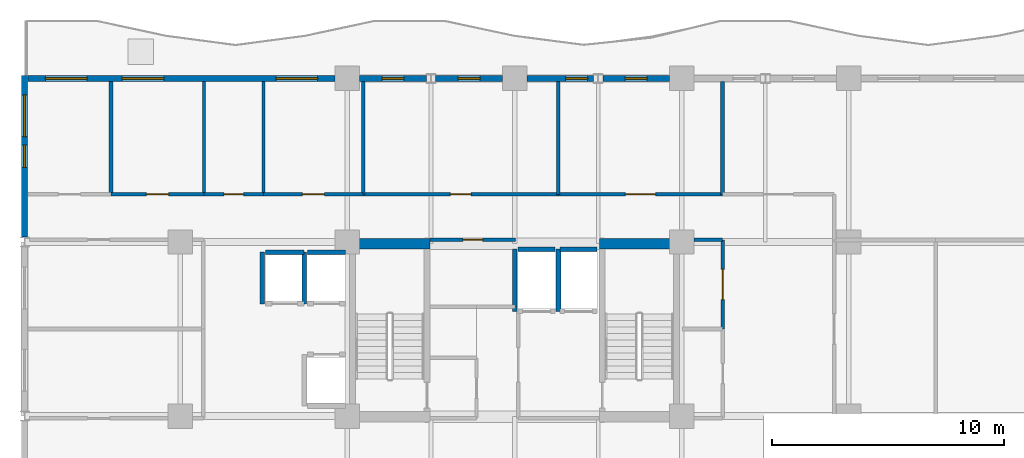
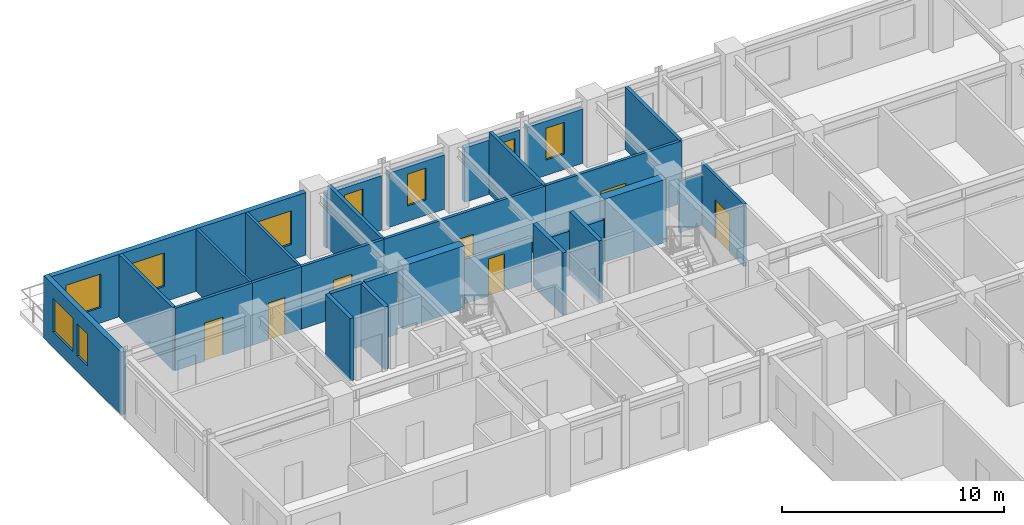
# One storey, part 8 of 12: 30 walls, 9 windows, 7 doors, 16 openings.
"""IFC4 building model written with IfcOpenShell, lengths in metres."""

from ifc_helpers import new_model, si_unit, direction, frame, frame_2d, origin, place, context, subcontext, project, spatial, rectangle, extrude, material, layer, layer_set, type_object, element, fill, save


model = new_model("IFC4")

# Units and contexts
model_context = context("Model", 3, precision=1e-05, world=origin(), true_north=direction((0.0, 1.0)))
body_context = subcontext(model_context, "Body", "Model", "MODEL_VIEW")
ifc_project = project(units=[si_unit("LENGTHUNIT", "METRE"), si_unit("AREAUNIT", "SQUARE_METRE"), si_unit("VOLUMEUNIT", "CUBIC_METRE"), si_unit("PLANEANGLEUNIT", "RADIAN"), si_unit("MASSUNIT", "GRAM", prefix="KILO")], contexts=[model_context])

# Site, building, storey
site_placement = place(None, origin())
site = spatial("IfcSite", under=ifc_project, at=site_placement, CompositionType="ELEMENT")
building_placement = place(site_placement, origin())
building = spatial("IfcBuilding", under=site, at=building_placement, Name="Kaliganga Portal Commons", CompositionType="ELEMENT")
storey_placement = place(building_placement, frame((0.0, 0.0, 147.60009765625)))
storey = spatial("IfcBuildingStorey", under=building, at=storey_placement, Name="L37", CompositionType="ELEMENT", Elevation=147.60009765625)

# Walls
ifc_material_1 = material(Name="Concrete C60/75", Category="concrete")
ifc_layer_1 = layer(ifc_material_1, 0.449951171875)
ifc_layer_set_1 = layer_set([ifc_layer_1], Name="Concrete C60/75")
wall_type_1 = type_object("IfcWallType", Name="WL-CORE-450", PredefinedType="SHEAR", material=ifc_layer_set_1)
for number, where, z_axis, x_axis, name in (
    (1, (14.75, 36.074951171875, 0.0), (0.0, 0.0, 1.0), (1.0, 0.0, 0.0), "Core A N-West Shear Wall L37"),
    (2, (25.25, 36.074951171875, 0.0), (0.0, 0.0, 1.0), (1.0, 0.0, 0.0), "Core A N-East Shear Wall L37"),
):
    element("IfcWall", number, at=place(storey_placement, frame(where, z_axis=z_axis, x_axis=x_axis)), inside=storey, type_object=wall_type_1, Name=name, PredefinedType="SHEAR", context=body_context, shape_type="SweptSolid", body=[
        extrude(rectangle(XDim=3.199951171875, YDim=0.449951171875, at=frame_2d((1.60009765625, 0.0))), origin(), (0.0, 0.0, 1.0), 3.4599609375),
    ])

# Wall, opening, window
ifc_material_2 = material(Name="Insulated Aluminium-Clad Spandrel Assembly", Category="aluminium")
ifc_layer_2 = layer(ifc_material_2, 0.260009765625)
ifc_layer_set_2 = layer_set([ifc_layer_2], Name="Insulated Aluminium-Clad Spandrel Assembly")
wall_type_2 = type_object("IfcWallType", Name="WL-EXT-SPAND-260", PredefinedType="STANDARD", material=ifc_layer_set_2)
wall_1_placement = place(storey_placement, frame((25.403076171875, 43.199951171875, 0.0), z_axis=(0.0, 0.0, 1.0), x_axis=(1.0, 0.0, 0.0)))
wall_1 = element("IfcWall", 3, at=wall_1_placement, inside=storey, type_object=wall_type_2, Name="Exterior Envelope Wall L37 P1-E02-S5", PredefinedType="STANDARD", context=body_context, shape_type="SweptSolid", body=[
    extrude(rectangle(XDim=2.870849609375, YDim=0.260009765625, at=frame_2d((1.435546875, 0.0))), origin(), (0.0, 0.0, 1.0), 2.989990234375),
])
opening_1_placement = place(wall_1_placement, frame((0.96044921875, 0.0, 0.85009765625)))
opening_1 = element("IfcOpeningElement", 4, at=opening_1_placement, cuts=wall_1, Name="Opening W-04", PredefinedType="OPENING", context=body_context, shape_type="SweptSolid", body=[
    extrude(rectangle(XDim=0.949951171875, YDim=1.75, at=frame_2d((0.47509765625, 0.875))), frame((0.0, 0.14013671875, 0.0), z_axis=(0.0, -1.0, 0.0), x_axis=(1.0, 0.0, 0.0)), (0.0, 0.0, 1.0), 0.280029296875),
])
ifc_material_3 = material(Name="Thermally Broken Aluminium and Low-E Double Glazing", Category="aluminium")
window_type_1 = type_object("IfcWindowType", Name="WIN-NARROW-950", PartitioningType="SINGLE_PANEL", PredefinedType="WINDOW", material=ifc_material_3)
window_1_placement = place(opening_1_placement, origin())
window_1 = element("IfcWindow", 5, at=window_1_placement, inside=storey, type_object=window_type_1, Name="Facade Window L37-P1E02S5-00", OverallHeight=1.75, OverallWidth=0.949951171875, PartitioningType="SINGLE_PANEL", PredefinedType="WINDOW", context=body_context, shape_type="SweptSolid", body=[
    extrude(rectangle(XDim=0.949951171875, YDim=1.75, at=frame_2d((0.47509765625, 0.875))), frame((0.0, 0.030029296875, 0.0), z_axis=(0.0, -1.0, 0.0), x_axis=(1.0, 0.0, 0.0)), (0.0, 0.0, 1.0), 0.06005859375),
])
fill(opening_1, window_1)

wall_2_placement = place(storey_placement, frame((22.1259765625, 43.199951171875, 0.0), z_axis=(0.0, 0.0, 1.0), x_axis=(1.0, 0.0, 0.0)))
wall_2 = element("IfcWall", 6, at=wall_2_placement, inside=storey, type_object=wall_type_2, Name="Exterior Envelope Wall L37 P1-E02-S6", PredefinedType="STANDARD", context=body_context, shape_type="SweptSolid", body=[
    extrude(rectangle(XDim=2.87109375, YDim=0.260009765625, at=frame_2d((1.435546875, 0.0))), origin(), (0.0, 0.0, 1.0), 2.989990234375),
])
opening_2_placement = place(wall_2_placement, frame((1.672607421875, 0.0, 0.85009765625)))
opening_2 = element("IfcOpeningElement", 7, at=opening_2_placement, cuts=wall_2, Name="Opening W-04", PredefinedType="OPENING", context=body_context, shape_type="SweptSolid", body=[
    extrude(rectangle(XDim=0.949951171875, YDim=1.75, at=frame_2d((0.47509765625, 0.875))), frame((0.0, 0.14013671875, 0.0), z_axis=(0.0, -1.0, 0.0), x_axis=(1.0, 0.0, 0.0)), (0.0, 0.0, 1.0), 0.280029296875),
])
window_2_placement = place(opening_2_placement, origin())
window_2 = element("IfcWindow", 8, at=window_2_placement, inside=storey, type_object=window_type_1, Name="Facade Window L37-P1E02S6-N2", OverallHeight=1.75, OverallWidth=0.949951171875, PartitioningType="SINGLE_PANEL", PredefinedType="WINDOW", context=body_context, shape_type="SweptSolid", body=[
    extrude(rectangle(XDim=0.949951171875, YDim=1.75, at=frame_2d((0.47509765625, 0.875))), frame((0.0, 0.030029296875, 0.0), z_axis=(0.0, -1.0, 0.0), x_axis=(1.0, 0.0, 0.0)), (0.0, 0.0, 1.0), 0.06005859375),
])
fill(opening_2, window_2)

wall_3_placement = place(storey_placement, frame((18.202880859375, 43.199951171875, 0.0), z_axis=(0.0, 0.0, 1.0), x_axis=(1.0, 0.0, 0.0)))
wall_3 = element("IfcWall", 9, at=wall_3_placement, inside=storey, type_object=wall_type_2, Name="Exterior Envelope Wall L37 P1-E02-S7", PredefinedType="STANDARD", context=body_context, shape_type="SweptSolid", body=[
    extrude(rectangle(XDim=2.87109375, YDim=0.260009765625, at=frame_2d((1.435546875, 0.0))), origin(), (0.0, 0.0, 1.0), 2.989990234375),
])
opening_3_placement = place(wall_3_placement, frame((0.96044921875, 0.0, 0.85009765625)))
opening_3 = element("IfcOpeningElement", 10, at=opening_3_placement, cuts=wall_3, Name="Opening W-04", PredefinedType="OPENING", context=body_context, shape_type="SweptSolid", body=[
    extrude(rectangle(XDim=0.949951171875, YDim=1.75, at=frame_2d((0.47509765625, 0.875))), frame((0.0, 0.14013671875, 0.0), z_axis=(0.0, -1.0, 0.0), x_axis=(1.0, 0.0, 0.0)), (0.0, 0.0, 1.0), 0.280029296875),
])
window_3_placement = place(opening_3_placement, origin())
window_3 = element("IfcWindow", 11, at=window_3_placement, inside=storey, type_object=window_type_1, Name="Facade Window L37-P1E02S7-00", OverallHeight=1.75, OverallWidth=0.949951171875, PartitioningType="SINGLE_PANEL", PredefinedType="WINDOW", context=body_context, shape_type="SweptSolid", body=[
    extrude(rectangle(XDim=0.949951171875, YDim=1.75, at=frame_2d((0.47509765625, 0.875))), frame((0.0, 0.030029296875, 0.0), z_axis=(0.0, -1.0, 0.0), x_axis=(1.0, 0.0, 0.0)), (0.0, 0.0, 1.0), 0.06005859375),
])
fill(opening_3, window_3)

wall_4_placement = place(storey_placement, frame((14.926025390625, 43.199951171875, 0.0), z_axis=(0.0, 0.0, 1.0), x_axis=(1.0, 0.0, 0.0)))
wall_4 = element("IfcWall", 12, at=wall_4_placement, inside=storey, type_object=wall_type_2, Name="Exterior Envelope Wall L37 P1-E02-S8", PredefinedType="STANDARD", context=body_context, shape_type="SweptSolid", body=[
    extrude(rectangle(XDim=2.87109375, YDim=0.260009765625, at=frame_2d((1.435546875, 0.0))), origin(), (0.0, 0.0, 1.0), 2.989990234375),
])
opening_4_placement = place(wall_4_placement, frame((0.96044921875, 0.0, 0.85009765625)))
opening_4 = element("IfcOpeningElement", 13, at=opening_4_placement, cuts=wall_4, Name="Opening W-04", PredefinedType="OPENING", context=body_context, shape_type="SweptSolid", body=[
    extrude(rectangle(XDim=0.949951171875, YDim=1.75, at=frame_2d((0.47509765625, 0.875))), frame((0.0, 0.14013671875, 0.0), z_axis=(0.0, -1.0, 0.0), x_axis=(1.0, 0.0, 0.0)), (0.0, 0.0, 1.0), 0.280029296875),
])
window_4_placement = place(opening_4_placement, origin())
window_4 = element("IfcWindow", 14, at=window_4_placement, inside=storey, type_object=window_type_1, Name="Facade Window L37-P1E02S8-00", OverallHeight=1.75, OverallWidth=0.949951171875, PartitioningType="SINGLE_PANEL", PredefinedType="WINDOW", context=body_context, shape_type="SweptSolid", body=[
    extrude(rectangle(XDim=0.949951171875, YDim=1.75, at=frame_2d((0.47509765625, 0.875))), frame((0.0, 0.030029296875, 0.0), z_axis=(0.0, -1.0, 0.0), x_axis=(1.0, 0.0, 0.0)), (0.0, 0.0, 1.0), 0.06005859375),
])
fill(opening_4, window_4)

# Wall, openings, windows
wall_5_placement = place(storey_placement, frame((0.635009765625, 43.199951171875, 0.0), z_axis=(0.0, 0.0, 1.0), x_axis=(1.0, 0.0, 0.0)))
wall_5 = element("IfcWall", 15, at=wall_5_placement, inside=storey, type_object=wall_type_2, Name="Exterior Envelope Wall L37 P1-E02-S9", PredefinedType="STANDARD", context=body_context, shape_type="SweptSolid", body=[
    extrude(rectangle(XDim=13.239013671875, YDim=0.260009765625, at=frame_2d((6.61962890625, 0.0))), origin(), (0.0, 0.0, 1.0), 3.43994140625),
])
opening_5_placement = place(wall_5_placement, frame((0.7548828125, 0.0, 0.85009765625)))
opening_5 = element("IfcOpeningElement", 16, at=opening_5_placement, cuts=wall_5, Name="Opening W-01", PredefinedType="OPENING", context=body_context, shape_type="SweptSolid", body=[
    extrude(rectangle(XDim=1.800048828125, YDim=1.85009765625, at=frame_2d((0.89990234375, 0.925048828125))), frame((0.0, 0.14013671875, 0.0), z_axis=(0.0, -1.0, 0.0), x_axis=(1.0, 0.0, 0.0)), (0.0, 0.0, 1.0), 0.280029296875),
])
opening_6_placement = place(wall_5_placement, frame((4.064697265625, 0.0, 0.85009765625)))
opening_6 = element("IfcOpeningElement", 17, at=opening_6_placement, cuts=wall_5, Name="Opening W-01", PredefinedType="OPENING", context=body_context, shape_type="SweptSolid", body=[
    extrude(rectangle(XDim=1.800048828125, YDim=1.85009765625, at=frame_2d((0.89990234375, 0.925048828125))), frame((0.0, 0.14013671875, 0.0), z_axis=(0.0, -1.0, 0.0), x_axis=(1.0, 0.0, 0.0)), (0.0, 0.0, 1.0), 0.280029296875),
])
opening_7_placement = place(wall_5_placement, frame((10.68408203125, 0.0, 0.85009765625)))
opening_7 = element("IfcOpeningElement", 18, at=opening_7_placement, cuts=wall_5, Name="Opening W-01", PredefinedType="OPENING", context=body_context, shape_type="SweptSolid", body=[
    extrude(rectangle(XDim=1.800048828125, YDim=1.85009765625, at=frame_2d((0.89990234375, 0.925048828125))), frame((0.0, 0.14013671875, 0.0), z_axis=(0.0, -1.0, 0.0), x_axis=(1.0, 0.0, 0.0)), (0.0, 0.0, 1.0), 0.280029296875),
])
window_type_2 = type_object("IfcWindowType", Name="WIN-STD-1800", PartitioningType="DOUBLE_PANEL_VERTICAL", PredefinedType="WINDOW", material=ifc_material_3)
window_5_placement = place(opening_5_placement, origin())
window_5 = element("IfcWindow", 19, at=window_5_placement, inside=storey, type_object=window_type_2, Name="Facade Window L37-P1E02S9-00", OverallHeight=1.85009765625, OverallWidth=1.800048828125, PartitioningType="SINGLE_PANEL", PredefinedType="WINDOW", context=body_context, shape_type="SweptSolid", body=[
    extrude(rectangle(XDim=1.800048828125, YDim=1.85009765625, at=frame_2d((0.89990234375, 0.925048828125))), frame((0.0, 0.030029296875, 0.0), z_axis=(0.0, -1.0, 0.0), x_axis=(1.0, 0.0, 0.0)), (0.0, 0.0, 1.0), 0.06005859375),
])
fill(opening_5, window_5)
window_6_placement = place(opening_6_placement, origin())
window_6 = element("IfcWindow", 20, at=window_6_placement, inside=storey, type_object=window_type_2, Name="Facade Window L37-P1E02S9-01", OverallHeight=1.85009765625, OverallWidth=1.800048828125, PartitioningType="SINGLE_PANEL", PredefinedType="WINDOW", context=body_context, shape_type="SweptSolid", body=[
    extrude(rectangle(XDim=1.800048828125, YDim=1.85009765625, at=frame_2d((0.89990234375, 0.925048828125))), frame((0.0, 0.030029296875, 0.0), z_axis=(0.0, -1.0, 0.0), x_axis=(1.0, 0.0, 0.0)), (0.0, 0.0, 1.0), 0.06005859375),
])
fill(opening_6, window_6)
window_7_placement = place(opening_7_placement, origin())
window_7 = element("IfcWindow", 21, at=window_7_placement, inside=storey, type_object=window_type_2, Name="Facade Window L37-P1E02S9-03", OverallHeight=1.85009765625, OverallWidth=1.800048828125, PartitioningType="SINGLE_PANEL", PredefinedType="WINDOW", context=body_context, shape_type="SweptSolid", body=[
    extrude(rectangle(XDim=1.800048828125, YDim=1.85009765625, at=frame_2d((0.89990234375, 0.925048828125))), frame((0.0, 0.030029296875, 0.0), z_axis=(0.0, -1.0, 0.0), x_axis=(1.0, 0.0, 0.0)), (0.0, 0.0, 1.0), 0.06005859375),
])
fill(opening_7, window_7)

wall_6_placement = place(storey_placement, frame((0.5, 36.35791015625, 0.0), z_axis=(0.0, 0.0, 1.0), x_axis=(0.0, 1.0, 0.0)))
wall_6 = element("IfcWall", 22, at=wall_6_placement, inside=storey, type_object=wall_type_2, Name="Exterior Envelope Wall L37 P1-E03-S1", PredefinedType="STANDARD", context=body_context, shape_type="SweptSolid", body=[
    extrude(rectangle(XDim=6.97216796875, YDim=0.260009765625, at=frame_2d((3.486083984375, 0.0))), origin(), (0.0, 0.0, 1.0), 3.43994140625),
])
opening_8_placement = place(wall_6_placement, frame((4.3291015625, 0.0, 0.85009765625)))
opening_8 = element("IfcOpeningElement", 23, at=opening_8_placement, cuts=wall_6, Name="Opening W-01", PredefinedType="OPENING", context=body_context, shape_type="SweptSolid", body=[
    extrude(rectangle(XDim=1.800048828125, YDim=1.85009765625, at=frame_2d((0.89990234375, 0.925048828125))), frame((0.0, 0.14013671875, 0.0), z_axis=(0.0, -1.0, 0.0), x_axis=(1.0, 0.0, 0.0)), (0.0, 0.0, 1.0), 0.280029296875),
])
opening_9_placement = place(wall_6_placement, frame((3.010986328125, 0.0, 0.85009765625)))
opening_9 = element("IfcOpeningElement", 24, at=opening_9_placement, cuts=wall_6, Name="Opening W-04", PredefinedType="OPENING", context=body_context, shape_type="SweptSolid", body=[
    extrude(rectangle(XDim=0.949951171875, YDim=1.75, at=frame_2d((0.47509765625, 0.875))), frame((0.0, 0.14013671875, 0.0), z_axis=(0.0, -1.0, 0.0), x_axis=(1.0, 0.0, 0.0)), (0.0, 0.0, 1.0), 0.280029296875),
])
window_8_placement = place(opening_9_placement, origin())
window_8 = element("IfcWindow", 25, at=window_8_placement, inside=storey, type_object=window_type_1, Name="Facade Window L37-P1E03S1-N0", OverallHeight=1.75, OverallWidth=0.949951171875, PartitioningType="SINGLE_PANEL", PredefinedType="WINDOW", context=body_context, shape_type="SweptSolid", body=[
    extrude(rectangle(XDim=0.949951171875, YDim=1.75, at=frame_2d((0.47509765625, 0.875))), frame((0.0, 0.030029296875, 0.0), z_axis=(0.0, -1.0, 0.0), x_axis=(1.0, 0.0, 0.0)), (0.0, 0.0, 1.0), 0.06005859375),
])
fill(opening_9, window_8)
window_9_placement = place(opening_8_placement, origin())
window_9 = element("IfcWindow", 26, at=window_9_placement, inside=storey, type_object=window_type_2, Name="Facade Window L37-P1E03S1-01", OverallHeight=1.85009765625, OverallWidth=1.800048828125, PartitioningType="SINGLE_PANEL", PredefinedType="WINDOW", context=body_context, shape_type="SweptSolid", body=[
    extrude(rectangle(XDim=1.800048828125, YDim=1.85009765625, at=frame_2d((0.89990234375, 0.925048828125))), frame((0.0, 0.030029296875, 0.0), z_axis=(0.0, -1.0, 0.0), x_axis=(1.0, 0.0, 0.0)), (0.0, 0.0, 1.0), 0.06005859375),
])
fill(opening_8, window_9)

# Wall, opening, door
ifc_material_4 = material(Name="Fire-Rated Gypsum Board on Steel Stud", Category="steel")
ifc_layer_3 = layer(ifc_material_4, 0.14990234375)
ifc_layer_set_3 = layer_set([ifc_layer_3], Name="Fire-Rated Gypsum Board on Steel Stud")
wall_type_3 = type_object("IfcWallType", Name="WL-PART-CORR-150", PredefinedType="PARTITIONING", material=ifc_layer_set_3)
wall_7_placement = place(storey_placement, frame((15.080078125, 38.199951171875, 0.0), z_axis=(0.0, 0.0, 1.0), x_axis=(1.0, 0.0, 0.0)))
wall_7 = element("IfcWall", 27, at=wall_7_placement, inside=storey, type_object=wall_type_3, Name="Interior Partition L37-011", PredefinedType="PARTITIONING", context=body_context, shape_type="SweptSolid", body=[
    extrude(rectangle(XDim=8.39990234375, YDim=0.14990234375, at=frame_2d((4.199951171875, 0.0))), origin(), (0.0, 0.0, 1.0), 3.43994140625),
])
opening_10_placement = place(wall_7_placement, frame((3.75, 0.0, 0.0)))
opening_10 = element("IfcOpeningElement", 28, at=opening_10_placement, cuts=wall_7, Name="Opening RD-01", PredefinedType="OPENING", context=body_context, shape_type="SweptSolid", body=[
    extrude(rectangle(XDim=0.89990234375, YDim=2.080078125, at=frame_2d((0.449951171875, 1.0400390625))), frame((0.0, 0.0849609375, 0.0), z_axis=(0.0, -1.0, 0.0), x_axis=(1.0, 0.0, 0.0)), (0.0, 0.0, 1.0), 0.169921875),
])
ifc_material_5 = material(Name="Engineered Timber Flush Door", Category="wood")
door_type_1 = type_object("IfcDoorType", Name="DR-ROOM-900", OperationType="NOTDEFINED", PredefinedType="DOOR", material=ifc_material_5)
door_1_placement = place(opening_10_placement, origin())
door_1 = element("IfcDoor", 29, at=door_1_placement, inside=storey, type_object=door_type_1, Name="Interior Door L37-AN05", OperationType="SINGLE_SWING_RIGHT", OverallHeight=2.080078125, OverallWidth=0.89990234375, PredefinedType="DOOR", context=body_context, shape_type="SweptSolid", body=[
    extrude(rectangle(XDim=0.89990234375, YDim=2.080078125, at=frame_2d((0.449951171875, 1.0400390625))), frame((0.0, 0.02490234375, 0.0), z_axis=(0.0, -1.0, 0.0), x_axis=(1.0, 0.0, 0.0)), (0.0, 0.0, 1.0), 0.050048828125),
])
fill(opening_10, door_1)

wall_8_placement = place(storey_placement, frame((23.47998046875, 38.199951171875, 0.0), z_axis=(0.0, 0.0, 1.0), x_axis=(1.0, 0.0, 0.0)))
wall_8 = element("IfcWall", 30, at=wall_8_placement, inside=storey, type_object=wall_type_3, Name="Interior Partition L37-019", PredefinedType="PARTITIONING", context=body_context, shape_type="SweptSolid", body=[
    extrude(rectangle(XDim=7.080078125, YDim=0.14990234375, at=frame_2d((3.5400390625, 0.0))), origin(), (0.0, 0.0, 1.0), 3.43994140625),
])
opening_11_placement = place(wall_8_placement, frame((2.889892578125, 0.0, 0.0)))
opening_11 = element("IfcOpeningElement", 31, at=opening_11_placement, cuts=wall_8, Name="Opening RD-03", PredefinedType="OPENING", context=body_context, shape_type="SweptSolid", body=[
    extrude(rectangle(XDim=1.300048828125, YDim=2.1201171875, at=frame_2d((0.64990234375, 1.06005859375))), frame((0.0, 0.0849609375, 0.0), z_axis=(0.0, -1.0, 0.0), x_axis=(1.0, 0.0, 0.0)), (0.0, 0.0, 1.0), 0.169921875),
])
ifc_material_6 = material(Name="Glazed Timber Seminar Vision Door", Category="wood")
door_type_2 = type_object("IfcDoorType", Name="DR-STUDY-1300", OperationType="DOUBLE_DOOR_SINGLE_SWING", PredefinedType="DOOR", material=ifc_material_6)
door_2_placement = place(opening_11_placement, origin())
door_2 = element("IfcDoor", 32, at=door_2_placement, inside=storey, type_object=door_type_2, Name="Interior Door L37-AN06", OperationType="DOUBLE_DOOR_SINGLE_SWING", OverallHeight=2.1201171875, OverallWidth=1.300048828125, PredefinedType="DOOR", context=body_context, shape_type="SweptSolid", body=[
    extrude(rectangle(XDim=1.300048828125, YDim=2.1201171875, at=frame_2d((0.64990234375, 1.06005859375))), frame((0.0, 0.02490234375, 0.0), z_axis=(0.0, -1.0, 0.0), x_axis=(1.0, 0.0, 0.0)), (0.0, 0.0, 1.0), 0.050048828125),
])
fill(opening_11, door_2)

wall_9_placement = place(storey_placement, frame((10.780029296875, 38.199951171875, 0.0), z_axis=(0.0, 0.0, 1.0), x_axis=(1.0, 0.0, 0.0)))
wall_9 = element("IfcWall", 33, at=wall_9_placement, inside=storey, type_object=wall_type_3, Name="Interior Partition L37-035", PredefinedType="PARTITIONING", context=body_context, shape_type="SweptSolid", body=[
    extrude(rectangle(XDim=4.300048828125, YDim=0.14990234375, at=frame_2d((2.14990234375, 0.0))), origin(), (0.0, 0.0, 1.0), 3.43994140625),
])
opening_12_placement = place(wall_9_placement, frame((1.675048828125, 0.0, 0.0)))
opening_12 = element("IfcOpeningElement", 34, at=opening_12_placement, cuts=wall_9, Name="Opening UD-01", PredefinedType="OPENING", context=body_context, shape_type="SweptSolid", body=[
    extrude(rectangle(XDim=0.949951171875, YDim=2.10009765625, at=frame_2d((0.47509765625, 1.050048828125))), frame((0.0, 0.0849609375, 0.0), z_axis=(0.0, -1.0, 0.0), x_axis=(1.0, 0.0, 0.0)), (0.0, 0.0, 1.0), 0.169921875),
])
ifc_material_7 = material(Name="Solid-Core Timber Acoustic Fire Door", Category="wood")
door_type_3 = type_object("IfcDoorType", Name="DR-UNIT-950", OperationType="NOTDEFINED", PredefinedType="DOOR", material=ifc_material_7)
door_3_placement = place(opening_12_placement, origin())
door_3 = element("IfcDoor", 35, at=door_3_placement, inside=storey, type_object=door_type_3, Name="Interior Door L37-AN04", OperationType="SINGLE_SWING_LEFT", OverallHeight=2.10009765625, OverallWidth=0.949951171875, PredefinedType="DOOR", context=body_context, shape_type="SweptSolid", body=[
    extrude(rectangle(XDim=0.949951171875, YDim=2.10009765625, at=frame_2d((0.47509765625, 1.050048828125))), frame((0.0, 0.02490234375, 0.0), z_axis=(0.0, -1.0, 0.0), x_axis=(1.0, 0.0, 0.0)), (0.0, 0.0, 1.0), 0.050048828125),
])
fill(opening_12, door_3)

wall_10_placement = place(storey_placement, frame((4.219970703125, 38.199951171875, 0.0), z_axis=(0.0, 0.0, 1.0), x_axis=(1.0, 0.0, 0.0)))
wall_10 = element("IfcWall", 36, at=wall_10_placement, inside=storey, type_object=wall_type_3, Name="Interior Partition L37-037", PredefinedType="PARTITIONING", context=body_context, shape_type="SweptSolid", body=[
    extrude(rectangle(XDim=4.0, YDim=0.14990234375, at=frame_2d((2.0, 0.0))), origin(), (0.0, 0.0, 1.0), 3.43994140625),
])
opening_13_placement = place(wall_10_placement, frame((1.52490234375, 0.0, 0.0)))
opening_13 = element("IfcOpeningElement", 37, at=opening_13_placement, cuts=wall_10, Name="Opening UD-01", PredefinedType="OPENING", context=body_context, shape_type="SweptSolid", body=[
    extrude(rectangle(XDim=0.949951171875, YDim=2.10009765625, at=frame_2d((0.47509765625, 1.050048828125))), frame((0.0, 0.0849609375, 0.0), z_axis=(0.0, -1.0, 0.0), x_axis=(1.0, 0.0, 0.0)), (0.0, 0.0, 1.0), 0.169921875),
])
door_4_placement = place(opening_13_placement, origin())
door_4 = element("IfcDoor", 38, at=door_4_placement, inside=storey, type_object=door_type_3, Name="Interior Door L37-AN02", OperationType="SINGLE_SWING_LEFT", OverallHeight=2.10009765625, OverallWidth=0.949951171875, PredefinedType="DOOR", context=body_context, shape_type="SweptSolid", body=[
    extrude(rectangle(XDim=0.949951171875, YDim=2.10009765625, at=frame_2d((0.47509765625, 1.050048828125))), frame((0.0, 0.02490234375, 0.0), z_axis=(0.0, -1.0, 0.0), x_axis=(1.0, 0.0, 0.0)), (0.0, 0.0, 1.0), 0.050048828125),
])
fill(opening_13, door_4)

wall_11_placement = place(storey_placement, frame((30.56005859375, 32.39990234375, 0.0), z_axis=(0.0, 0.0, 1.0), x_axis=(0.0, 1.0, 0.0)))
wall_11 = element("IfcWall", 39, at=wall_11_placement, inside=storey, type_object=wall_type_3, Name="Interior Partition L37-039", PredefinedType="PARTITIONING", context=body_context, shape_type="SweptSolid", body=[
    extrude(rectangle(XDim=3.840087890625, YDim=0.14990234375, at=frame_2d((1.919921875, 0.0))), origin(), (0.0, 0.0, 1.0), 3.43994140625),
])
opening_14_placement = place(wall_11_placement, frame((1.27001953125, 0.0, 0.0)))
opening_14 = element("IfcOpeningElement", 40, at=opening_14_placement, cuts=wall_11, Name="Opening RD-03", PredefinedType="OPENING", context=body_context, shape_type="SweptSolid", body=[
    extrude(rectangle(XDim=1.300048828125, YDim=2.1201171875, at=frame_2d((0.64990234375, 1.06005859375))), frame((0.0, 0.0849609375, 0.0), z_axis=(0.0, -1.0, 0.0), x_axis=(1.0, 0.0, 0.0)), (0.0, 0.0, 1.0), 0.169921875),
])
door_5_placement = place(opening_14_placement, origin())
door_5 = element("IfcDoor", 41, at=door_5_placement, inside=storey, type_object=door_type_2, Name="Interior Door L37-CSRV_A2", OperationType="DOUBLE_DOOR_SINGLE_SWING", OverallHeight=2.1201171875, OverallWidth=1.300048828125, PredefinedType="DOOR", context=body_context, shape_type="SweptSolid", body=[
    extrude(rectangle(XDim=1.300048828125, YDim=2.1201171875, at=frame_2d((0.64990234375, 1.06005859375))), frame((0.0, 0.02490234375, 0.0), z_axis=(0.0, -1.0, 0.0), x_axis=(1.0, 0.0, 0.0)), (0.0, 0.0, 1.0), 0.050048828125),
])
fill(opening_14, door_5)

wall_12_placement = place(storey_placement, frame((17.9599609375, 36.239990234375, 0.0), z_axis=(0.0, 0.0, 1.0), x_axis=(1.0, 0.0, 0.0)))
wall_12 = element("IfcWall", 42, at=wall_12_placement, inside=storey, type_object=wall_type_3, Name="Interior Partition L37-044", PredefinedType="PARTITIONING", context=body_context, shape_type="SweptSolid", body=[
    extrude(rectangle(XDim=3.679931640625, YDim=0.14990234375, at=frame_2d((1.83984375, 0.0))), origin(), (0.0, 0.0, 1.0), 2.43994140625),
])
opening_15_placement = place(wall_12_placement, frame((1.4150390625, 0.0, 0.0)))
opening_15 = element("IfcOpeningElement", 43, at=opening_15_placement, cuts=wall_12, Name="Opening WD-01", PredefinedType="OPENING", context=body_context, shape_type="SweptSolid", body=[
    extrude(rectangle(XDim=0.85009765625, YDim=2.0400390625, at=frame_2d((0.425048828125, 1.02001953125))), frame((0.0, 0.0849609375, 0.0), z_axis=(0.0, -1.0, 0.0), x_axis=(1.0, 0.0, 0.0)), (0.0, 0.0, 1.0), 0.169921875),
])
ifc_material_8 = material(Name="Moisture-Resistant Laminate Timber Door", Category="wood")
door_type_4 = type_object("IfcDoorType", Name="DR-WET-850", OperationType="NOTDEFINED", PredefinedType="DOOR", material=ifc_material_8)
door_6_placement = place(opening_15_placement, origin())
door_6 = element("IfcDoor", 44, at=door_6_placement, inside=storey, type_object=door_type_4, Name="Interior Door L37-CREC_A1", OperationType="SINGLE_SWING_RIGHT", OverallHeight=2.0400390625, OverallWidth=0.85009765625, PredefinedType="DOOR", context=body_context, shape_type="SweptSolid", body=[
    extrude(rectangle(XDim=0.85009765625, YDim=2.0400390625, at=frame_2d((0.425048828125, 1.02001953125))), frame((0.0, 0.02490234375, 0.0), z_axis=(0.0, -1.0, 0.0), x_axis=(1.0, 0.0, 0.0)), (0.0, 0.0, 1.0), 0.050048828125),
])
fill(opening_15, door_6)

wall_13_placement = place(storey_placement, frame((8.219970703125, 38.199951171875, 0.0), z_axis=(0.0, 0.0, 1.0), x_axis=(1.0, 0.0, 0.0)))
wall_13 = element("IfcWall", 45, at=wall_13_placement, inside=storey, type_object=wall_type_3, Name="Interior Partition L37-052", PredefinedType="PARTITIONING", context=body_context, shape_type="SweptSolid", body=[
    extrude(rectangle(XDim=2.56005859375, YDim=0.14990234375, at=frame_2d((1.280029296875, 0.0))), origin(), (0.0, 0.0, 1.0), 3.43994140625),
])
opening_16_placement = place(wall_13_placement, frame((0.85498046875, 0.0, 0.0)))
opening_16 = element("IfcOpeningElement", 46, at=opening_16_placement, cuts=wall_13, Name="Opening WD-01", PredefinedType="OPENING", context=body_context, shape_type="SweptSolid", body=[
    extrude(rectangle(XDim=0.85009765625, YDim=2.0400390625, at=frame_2d((0.425048828125, 1.02001953125))), frame((0.0, 0.0849609375, 0.0), z_axis=(0.0, -1.0, 0.0), x_axis=(1.0, 0.0, 0.0)), (0.0, 0.0, 1.0), 0.169921875),
])
door_7_placement = place(opening_16_placement, origin())
door_7 = element("IfcDoor", 47, at=door_7_placement, inside=storey, type_object=door_type_4, Name="Interior Door L37-AN03", OperationType="SINGLE_SWING_RIGHT", OverallHeight=2.0400390625, OverallWidth=0.85009765625, PredefinedType="DOOR", context=body_context, shape_type="SweptSolid", body=[
    extrude(rectangle(XDim=0.85009765625, YDim=2.0400390625, at=frame_2d((0.425048828125, 1.02001953125))), frame((0.0, 0.02490234375, 0.0), z_axis=(0.0, -1.0, 0.0), x_axis=(1.0, 0.0, 0.0)), (0.0, 0.0, 1.0), 0.050048828125),
])
fill(opening_16, door_7)

# Walls
wall_14_placement = place(storey_placement, frame((29.324951171875, 36.239990234375, 0.0), z_axis=(0.0, 0.0, 1.0), x_axis=(1.0, 0.0, 0.0)))
element("IfcWall", 48, at=wall_14_placement, inside=storey, type_object=wall_type_3, Name="Interior Partition L37-059", PredefinedType="PARTITIONING", context=body_context, shape_type="SweptSolid", body=[
    extrude(rectangle(XDim=1.235107421875, YDim=0.14990234375, at=frame_2d((0.61767578125, 0.0))), origin(), (0.0, 0.0, 1.0), 2.83984375),
])
ifc_material_9 = material(Name="Twin-Stud Acoustic Gypsum Partition", Category="gypsum")
ifc_layer_4 = layer(ifc_material_9, 0.1650390625)
ifc_layer_set_4 = layer_set([ifc_layer_4], Name="Twin-Stud Acoustic Gypsum Partition")
wall_type_4 = type_object("IfcWallType", Name="WL-PART-UNIT-165", PredefinedType="PARTITIONING", material=ifc_layer_set_4)
for number, where, z_axis, x_axis, name in (
    (49, (4.219970703125, 38.199951171875, 0.0), (0.0, 0.0, 1.0), (0.0, 1.0, 0.0), "Interior Partition L37-070"),
    (50, (15.080078125, 38.199951171875, 0.0), (0.0, 0.0, 1.0), (0.0, 1.0, 0.0), "Interior Partition L37-073"),
    (51, (23.47998046875, 38.199951171875, 0.0), (0.0, 0.0, 1.0), (0.0, 1.0, 0.0), "Interior Partition L37-075"),
    (52, (30.56005859375, 38.199951171875, 0.0), (0.0, 0.0, 1.0), (0.0, 1.0, 0.0), "Interior Partition L37-076"),
):
    element("IfcWall", number, at=place(storey_placement, frame(where, z_axis=z_axis, x_axis=x_axis)), inside=storey, type_object=wall_type_4, Name=name, PredefinedType="PARTITIONING", context=body_context, shape_type="SweptSolid", body=[
        extrude(rectangle(XDim=4.8681640625, YDim=0.1650390625, at=frame_2d((2.43408203125, 0.0))), origin(), (0.0, 0.0, 1.0), 3.43994140625),
    ])
ifc_material_10 = material(Name="Cement-Board Wet-Room Partition", Category="gypsum")
ifc_layer_5 = layer(ifc_material_10, 0.135009765625)
ifc_layer_set_5 = layer_set([ifc_layer_5], Name="Cement-Board Wet-Room Partition")
wall_type_5 = type_object("IfcWallType", Name="WL-PART-WET-135", PredefinedType="PARTITIONING", material=ifc_layer_set_5)
for number, where, z_axis, x_axis, name in (
    (53, (8.219970703125, 38.199951171875, 0.0), (0.0, 0.0, 1.0), (0.0, 1.0, 0.0), "Interior Partition L37-071"),
    (54, (10.780029296875, 38.199951171875, 0.0), (0.0, 0.0, 1.0), (0.0, 1.0, 0.0), "Interior Partition L37-072"),
):
    element("IfcWall", number, at=place(storey_placement, frame(where, z_axis=z_axis, x_axis=x_axis)), inside=storey, type_object=wall_type_5, Name=name, PredefinedType="PARTITIONING", context=body_context, shape_type="SweptSolid", body=[
        extrude(rectangle(XDim=4.8681640625, YDim=0.135009765625, at=frame_2d((2.43408203125, 0.0))), origin(), (0.0, 0.0, 1.0), 3.43994140625),
    ])
ifc_material_11 = material(Name="Fire-Rated Shaftwall Masonry Assembly", Category="masonry")
ifc_layer_6 = layer(ifc_material_11, 0.199951171875)
ifc_layer_set_6 = layer_set([ifc_layer_6], Name="Fire-Rated Shaftwall Masonry Assembly")
wall_type_6 = type_object("IfcWallType", Name="WL-SHAFT-200", PredefinedType="PARTITIONING", material=ifc_layer_set_6)
wall_15_placement = place(storey_placement, frame((12.675048828125, 35.715087890625, 0.0), z_axis=(0.0, 0.0, 1.0), x_axis=(1.0, 0.0, 0.0)))
element("IfcWall", 55, at=wall_15_placement, inside=storey, type_object=wall_type_6, Name="Lift PL-A3 Hoistway Shaft Wall L37-N", PredefinedType="PARTITIONING", context=body_context, shape_type="SweptSolid", body=[
    extrude(rectangle(XDim=1.64990234375, YDim=0.199951171875, at=frame_2d((0.824951171875, 0.0))), origin(), (0.0, 0.0, 1.0), 3.43994140625),
])
wall_16_placement = place(storey_placement, frame((12.534912109375, 33.485107421875, 0.0), z_axis=(0.0, 0.0, 1.0), x_axis=(0.0, 1.0, 0.0)))
element("IfcWall", 56, at=wall_16_placement, inside=storey, type_object=wall_type_6, Name="Lift PL-A3 Hoistway Shaft Wall L37-W", PredefinedType="PARTITIONING", context=body_context, shape_type="SweptSolid", body=[
    extrude(rectangle(XDim=2.22998046875, YDim=0.199951171875, at=frame_2d((1.114990234375, 0.0))), origin(), (0.0, 0.0, 1.0), 3.43994140625),
])
wall_17_placement = place(storey_placement, frame((10.875, 35.715087890625, 0.0), z_axis=(0.0, 0.0, 1.0), x_axis=(1.0, 0.0, 0.0)))
element("IfcWall", 57, at=wall_17_placement, inside=storey, type_object=wall_type_6, Name="Lift PL-OBS Hoistway Shaft Wall L37-N", PredefinedType="PARTITIONING", context=body_context, shape_type="SweptSolid", body=[
    extrude(rectangle(XDim=1.64990234375, YDim=0.199951171875, at=frame_2d((0.824951171875, 0.0))), origin(), (0.0, 0.0, 1.0), 3.43994140625),
])
wall_18_placement = place(storey_placement, frame((10.735107421875, 33.485107421875, 0.0), z_axis=(0.0, 0.0, 1.0), x_axis=(0.0, 1.0, 0.0)))
element("IfcWall", 58, at=wall_18_placement, inside=storey, type_object=wall_type_6, Name="Lift PL-OBS Hoistway Shaft Wall L37-W", PredefinedType="PARTITIONING", context=body_context, shape_type="SweptSolid", body=[
    extrude(rectangle(XDim=2.22998046875, YDim=0.199951171875, at=frame_2d((1.114990234375, 0.0))), origin(), (0.0, 0.0, 1.0), 3.43994140625),
])
wall_19_placement = place(storey_placement, frame((21.75, 35.840087890625, 0.0), z_axis=(0.0, 0.0, 1.0), x_axis=(1.0, 0.0, 0.0)))
element("IfcWall", 59, at=wall_19_placement, inside=storey, type_object=wall_type_6, Name="Lift FFL-1 Hoistway Shaft Wall L37-N", PredefinedType="PARTITIONING", context=body_context, shape_type="SweptSolid", body=[
    extrude(rectangle(XDim=1.60009765625, YDim=0.199951171875, at=frame_2d((0.800048828125, 0.0))), origin(), (0.0, 0.0, 1.0), 2.43994140625),
])
for number, where, z_axis, x_axis, name in (
    (60, (21.610107421875, 33.159912109375, 0.0), (0.0, 0.0, 1.0), (0.0, 1.0, 0.0), "Lift FFL-1 Hoistway Shaft Wall L37-W"),
    (61, (23.489990234375, 33.159912109375, 0.0), (0.0, 0.0, 1.0), (0.0, 1.0, 0.0), "Lift FFL-1 Hoistway Shaft Wall L37-E"),
):
    element("IfcWall", number, at=place(storey_placement, frame(where, z_axis=z_axis, x_axis=x_axis)), inside=storey, type_object=wall_type_6, Name=name, PredefinedType="PARTITIONING", context=body_context, shape_type="SweptSolid", body=[
        extrude(rectangle(XDim=2.68017578125, YDim=0.199951171875, at=frame_2d((1.340087890625, 0.0))), origin(), (0.0, 0.0, 1.0), 3.43994140625),
    ])
wall_20_placement = place(storey_placement, frame((23.550048828125, 35.840087890625, 0.0), z_axis=(0.0, 0.0, 1.0), x_axis=(1.0, 0.0, 0.0)))
element("IfcWall", 62, at=wall_20_placement, inside=storey, type_object=wall_type_6, Name="Lift FFL-2 Hoistway Shaft Wall L37-N", PredefinedType="PARTITIONING", context=body_context, shape_type="SweptSolid", body=[
    extrude(rectangle(XDim=1.599853515625, YDim=0.199951171875, at=frame_2d((0.7998046875, 0.0))), origin(), (0.0, 0.0, 1.0), 2.43994140625),
])

save(model, "model.ifc")
